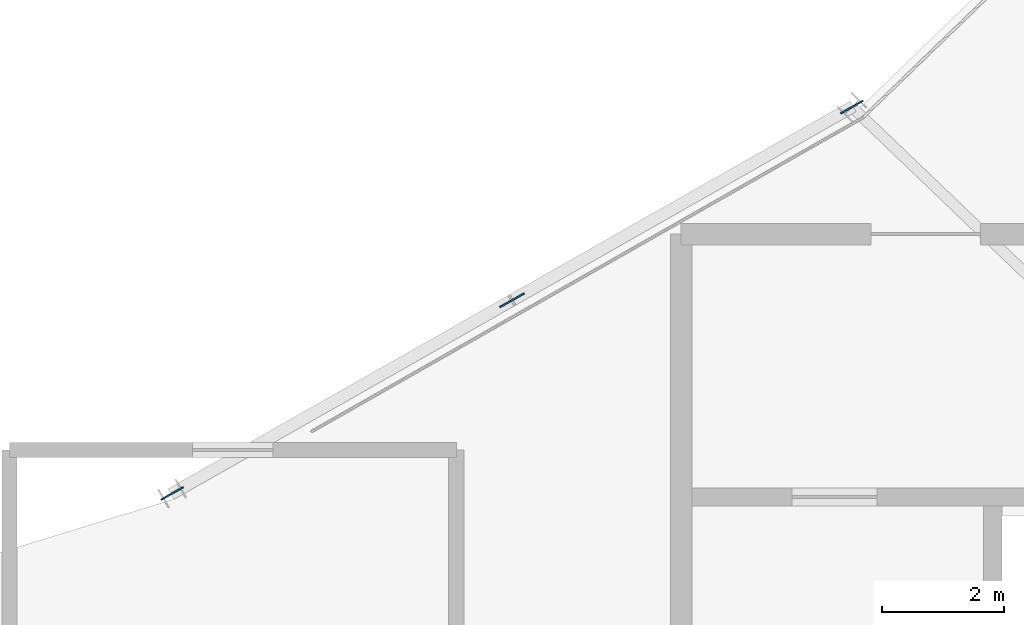
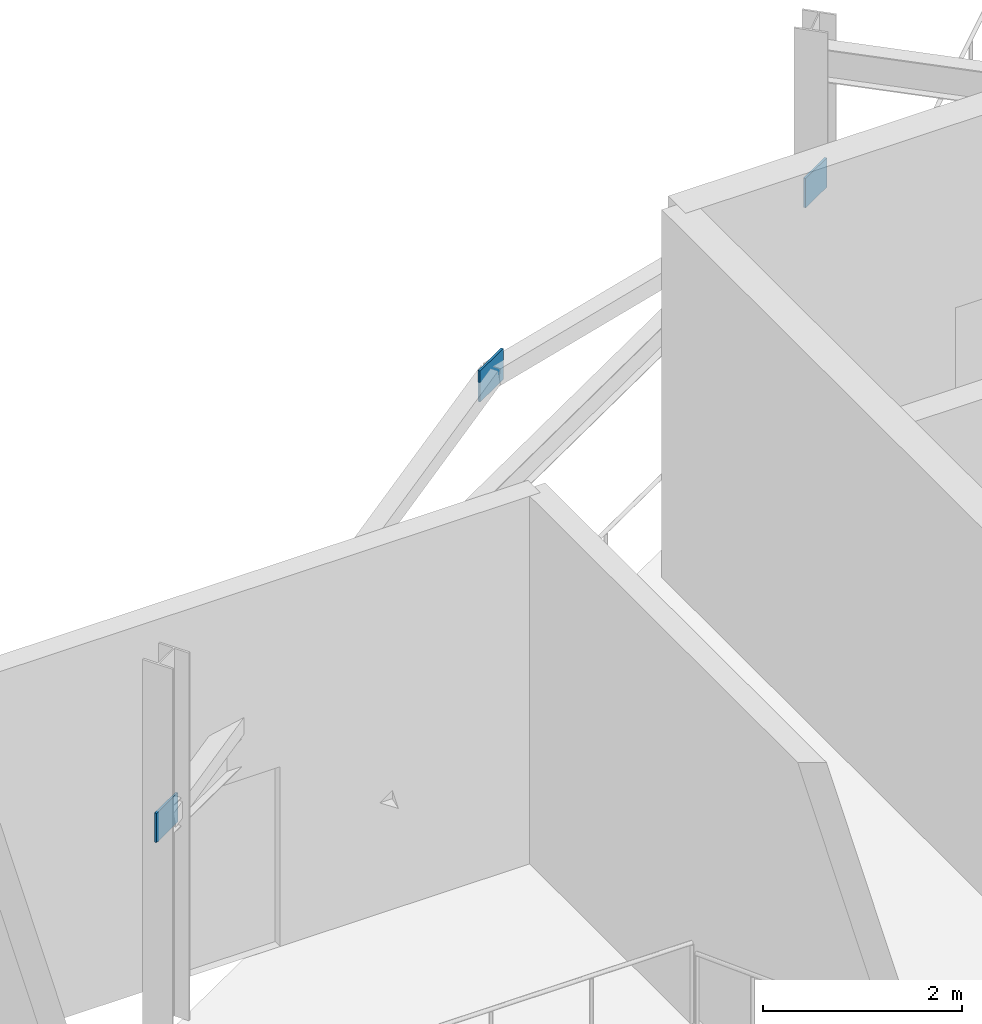
# One storey, part 101 of 126: 3 plates.
"""IFC4 building model written with IfcOpenShell, lengths in metres."""

from ifc_helpers import new_model, si_unit, direction, frame, origin, origin_2d, place, context, subcontext, project, spatial, rectangle, extrude, material, layer, layer_set, type_object, element, save


model = new_model("IFC4")

# Units and contexts
model_context = context("Model", 3, precision=1e-05, world=origin(), true_north=direction((0.0, 1.0)))
body_context = subcontext(model_context, "Body", "Model", "MODEL_VIEW")
ifc_project = project(units=[si_unit("LENGTHUNIT", "METRE"), si_unit("AREAUNIT", "SQUARE_METRE"), si_unit("VOLUMEUNIT", "CUBIC_METRE"), si_unit("PLANEANGLEUNIT", "RADIAN"), si_unit("MASSUNIT", "GRAM", prefix="KILO")], contexts=[model_context])

# Site, building, storey
site_placement = place(None, origin())
site = spatial("IfcSite", under=ifc_project, at=site_placement, CompositionType="ELEMENT")
building_placement = place(site_placement, origin())
building = spatial("IfcBuilding", under=site, at=building_placement, Name="Kalgoora Escarpment Arena", CompositionType="ELEMENT")
storey_placement = place(building_placement, frame((0.0, 0.0, 18.89990234375)))
storey = spatial("IfcBuildingStorey", under=building, at=storey_placement, Name="L04", CompositionType="ELEMENT", Elevation=18.89990234375)

# Plates
ifc_material = material(Name="Structural steel Grade 350 (350 MPa)", Category="steel")
ifc_layer = layer(ifc_material, 0.02490234375)
ifc_layer_set = layer_set([ifc_layer], Name="PLT-GUSSET-25")
plate_type = type_object("IfcPlateType", Name="PLT-GUSSET-25", PredefinedType="USERDEFINED", material=ifc_layer_set)
plate_placement = place(storey_placement, frame((124.991943359375, 32.537353515625, 3.860107421875), z_axis=(0.0, 0.0, 1.0), x_axis=(0.869408707144, 0.494093614554, 0.0)))
element("IfcPlate", 1, at=plate_placement, inside=storey, type_object=plate_type, Name="L04 chevron gusset cap plate R21", ObjectType="FLANGE PLATE", PredefinedType="USERDEFINED", context=body_context, shape_type="SweptSolid", body=[
    extrude(rectangle(XDim=0.4599609375, YDim=0.02490234375, at=origin_2d()), origin(), (0.0, 0.0, 1.0), 0.3798828125),
])
for number, where, z_axis, x_axis, name in (
    (2, (119.39990234375, 29.35888671875, 2.33984375), (0.0, 0.0, 1.0), (0.869494929505, 0.493941866584, 0.0), "Brace and post end gusset plate 039"),
    (3, (130.583740234375, 35.7158203125, 2.33984375), (0.0, 0.0, 1.0), (-0.869494929505, -0.493941866584, 0.0), "Brace and post end gusset plate 040"),
):
    element("IfcPlate", number, at=place(storey_placement, frame(where, z_axis=z_axis, x_axis=x_axis)), inside=storey, type_object=plate_type, Name=name, ObjectType="FLANGE PLATE", PredefinedType="USERDEFINED", context=body_context, shape_type="SweptSolid", body=[
        extrude(rectangle(XDim=0.419921875, YDim=0.02490234375, at=origin_2d()), origin(), (0.0, 0.0, 1.0), 0.360107421875),
    ])

save(model, "model.ifc")
